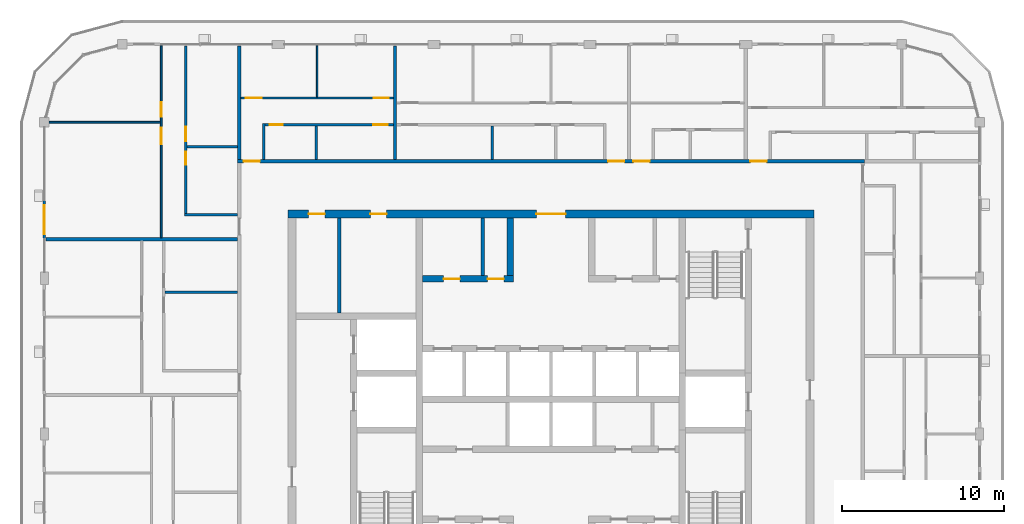
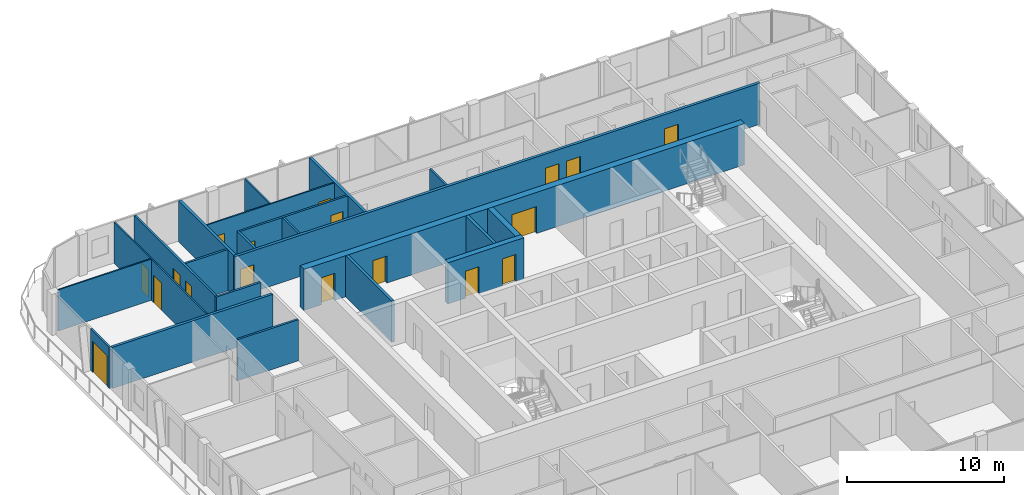
# One storey, part 13 of 21: 22 walls, 18 doors, 18 openings.
"""IFC4 building model written with IfcOpenShell, lengths in metres."""

from ifc_helpers import new_model, si_unit, direction, frame, frame_2d, origin, place, context, subcontext, project, spatial, rectangle, extrude, material, layer, layer_set, type_object, element, fill, save


model = new_model("IFC4")

# Units and contexts
model_context = context("Model", 3, precision=1e-05, world=origin(), true_north=direction((0.0, 1.0)))
body_context = subcontext(model_context, "Body", "Model", "MODEL_VIEW")
ifc_project = project(units=[si_unit("LENGTHUNIT", "METRE"), si_unit("AREAUNIT", "SQUARE_METRE"), si_unit("VOLUMEUNIT", "CUBIC_METRE"), si_unit("PLANEANGLEUNIT", "RADIAN"), si_unit("MASSUNIT", "GRAM", prefix="KILO")], contexts=[model_context])

# Site, building, storey
site_placement = place(None, origin())
site = spatial("IfcSite", under=ifc_project, at=site_placement, CompositionType="ELEMENT")
building_placement = place(site_placement, origin())
building = spatial("IfcBuilding", under=site, at=building_placement, Name="Madar Terraces", CompositionType="ELEMENT")
storey_placement = place(building_placement, frame((0.0, 0.0, 272.10009765625)))
storey = spatial("IfcBuildingStorey", under=building, at=storey_placement, Name="L71", CompositionType="ELEMENT", Elevation=272.10009765625)

# Wall, openings, doors
ifc_material_1 = material(Name="Concrete C50/60", Category="concrete")
ifc_layer_1 = layer(ifc_material_1, 0.39990234375)
ifc_layer_set_1 = layer_set([ifc_layer_1], Name="Concrete C50/60 (CIW6 RC wall 400)")
wall_type_1 = type_object("IfcWallType", Name="CIW6 RC wall 400", PredefinedType="SHEAR", material=ifc_layer_set_1)
wall_1_placement = place(storey_placement, frame((23.300048828125, 33.550048828125, 0.0), z_axis=(0.0, 0.0, 1.0), x_axis=(1.0, 0.0, 0.0)))
wall_1 = element("IfcWall", 1, at=wall_1_placement, inside=storey, type_object=wall_type_1, Name="CORE SHAFT WALL", PredefinedType="SHEAR", context=body_context, shape_type="SweptSolid", body=[
    extrude(rectangle(XDim=5.599853515625, YDim=0.39990234375, at=frame_2d((2.7998046875, 0.0))), origin(), (0.0, 0.0, 1.0), 3.199951171875),
])
opening_1_placement = place(wall_1_placement, frame((1.2958984375, 0.0, 0.0)))
opening_1 = element("IfcOpeningElement", 2, at=opening_1_placement, cuts=wall_1, Name="Opening KD2", PredefinedType="OPENING", context=body_context, shape_type="SweptSolid", body=[
    extrude(rectangle(XDim=1.0, YDim=2.10009765625, at=frame_2d((0.5, 1.050048828125))), frame((0.0, 0.2099609375, 0.0), z_axis=(0.0, -1.0, 0.0), x_axis=(1.0, 0.0, 0.0)), (0.0, 0.0, 1.0), 0.419921875),
])
opening_2_placement = place(wall_1_placement, frame((3.99609375, 0.0, 0.0)))
opening_2 = element("IfcOpeningElement", 3, at=opening_2_placement, cuts=wall_1, Name="Opening KD2", PredefinedType="OPENING", context=body_context, shape_type="SweptSolid", body=[
    extrude(rectangle(XDim=1.0, YDim=2.10009765625, at=frame_2d((0.5, 1.050048828125))), frame((0.0, 0.2099609375, 0.0), z_axis=(0.0, -1.0, 0.0), x_axis=(1.0, 0.0, 0.0)), (0.0, 0.0, 1.0), 0.419921875),
])
ifc_material_2 = material(Name="Steel door leaf", Category="steel")
door_type_1 = type_object("IfcDoorType", Name="Service room door 1000 x 2100", OperationType="NOTDEFINED", PredefinedType="DOOR", material=ifc_material_2)
door_1_placement = place(opening_1_placement, frame((1.0, 0.0, 0.0), z_axis=(0.0, 0.0, 1.0), x_axis=(-1.0, 0.0, 0.0)))
door_1 = element("IfcDoor", 4, at=door_1_placement, inside=storey, type_object=door_type_1, Name="SERVICE ROOM DOOR", OperationType="SINGLE_SWING_LEFT", OverallHeight=2.10009765625, OverallWidth=1.0, PredefinedType="DOOR", context=body_context, shape_type="SweptSolid", body=[
    extrude(rectangle(XDim=1.0, YDim=2.10009765625, at=frame_2d((0.5, 1.050048828125))), frame((0.0, 0.02490234375, 0.0), z_axis=(0.0, -1.0, 0.0), x_axis=(1.0, 0.0, 0.0)), (0.0, 0.0, 1.0), 0.050048828125),
])
fill(opening_1, door_1)
door_2_placement = place(opening_2_placement, frame((1.0, 0.0, 0.0), z_axis=(0.0, 0.0, 1.0), x_axis=(-1.0, 0.0, 0.0)))
door_2 = element("IfcDoor", 5, at=door_2_placement, inside=storey, type_object=door_type_1, Name="SERVICE ROOM DOOR", OperationType="SINGLE_SWING_RIGHT", OverallHeight=2.10009765625, OverallWidth=1.0, PredefinedType="DOOR", context=body_context, shape_type="SweptSolid", body=[
    extrude(rectangle(XDim=1.0, YDim=2.10009765625, at=frame_2d((0.5, 1.050048828125))), frame((0.0, 0.02490234375, 0.0), z_axis=(0.0, -1.0, 0.0), x_axis=(1.0, 0.0, 0.0)), (0.0, 0.0, 1.0), 0.050048828125),
])
fill(opening_2, door_2)

# Wall
wall_2_placement = place(storey_placement, frame((28.699951171875, 33.75, 0.0), z_axis=(0.0, 0.0, 1.0), x_axis=(0.0, 1.0, 0.0)))
element("IfcWall", 6, at=wall_2_placement, inside=storey, type_object=wall_type_1, Name="CORE SHAFT WALL", PredefinedType="SHEAR", context=body_context, shape_type="SweptSolid", body=[
    extrude(rectangle(XDim=3.550048828125, YDim=0.39990234375, at=frame_2d((1.77490234375, 0.0))), origin(), (0.0, 0.0, 1.0), 3.199951171875),
])

# Wall, openings, doors
ifc_material_3 = material(Name="Concrete C50/60", Category="concrete")
ifc_layer_2 = layer(ifc_material_3, 0.5)
ifc_layer_set_2 = layer_set([ifc_layer_2], Name="Concrete C50/60 (CRW6 RC wall 500)")
wall_type_2 = type_object("IfcWallType", Name="CRW6 RC wall 500", PredefinedType="SHEAR", material=ifc_layer_set_2)
wall_3_placement = place(storey_placement, frame((15.0, 37.550048828125, 0.0), z_axis=(0.0, 0.0, 1.0), x_axis=(1.0, 0.0, 0.0)))
wall_3 = element("IfcWall", 7, at=wall_3_placement, inside=storey, type_object=wall_type_2, Name="CORE OUTER WALL", PredefinedType="SHEAR", context=body_context, shape_type="SweptSolid", body=[
    extrude(rectangle(XDim=32.39990234375, YDim=0.5, at=frame_2d((16.199951171875, 0.0))), origin(), (0.0, 0.0, 1.0), 3.199951171875),
])
opening_3_placement = place(wall_3_placement, frame((15.300048828125, 0.0, 0.0)))
opening_3 = element("IfcOpeningElement", 8, at=opening_3_placement, cuts=wall_3, Name="Opening KD1", PredefinedType="OPENING", context=body_context, shape_type="SweptSolid", body=[
    extrude(rectangle(XDim=1.800048828125, YDim=2.10009765625, at=frame_2d((0.89990234375, 1.050048828125))), frame((0.0, 0.260009765625, 0.0), z_axis=(0.0, -1.0, 0.0), x_axis=(1.0, 0.0, 0.0)), (0.0, 0.0, 1.0), 0.52001953125),
])
opening_4_placement = place(wall_3_placement, frame((1.281982421875, 0.0, 0.0)))
opening_4 = element("IfcOpeningElement", 9, at=opening_4_placement, cuts=wall_3, Name="Opening KD2", PredefinedType="OPENING", context=body_context, shape_type="SweptSolid", body=[
    extrude(rectangle(XDim=1.0, YDim=2.10009765625, at=frame_2d((0.5, 1.050048828125))), frame((0.0, 0.260009765625, 0.0), z_axis=(0.0, -1.0, 0.0), x_axis=(1.0, 0.0, 0.0)), (0.0, 0.0, 1.0), 0.52001953125),
])
opening_5_placement = place(wall_3_placement, frame((5.08203125, 0.0, 0.0)))
opening_5 = element("IfcOpeningElement", 10, at=opening_5_placement, cuts=wall_3, Name="Opening KD2", PredefinedType="OPENING", context=body_context, shape_type="SweptSolid", body=[
    extrude(rectangle(XDim=1.0, YDim=2.10009765625, at=frame_2d((0.5, 1.050048828125))), frame((0.0, 0.260009765625, 0.0), z_axis=(0.0, -1.0, 0.0), x_axis=(1.0, 0.0, 0.0)), (0.0, 0.0, 1.0), 0.52001953125),
])
ifc_material_4 = material(Name="Steel door leaf", Category="steel")
door_type_2 = type_object("IfcDoorType", Name="Lobby door pair 1800 x 2100", OperationType="DOUBLE_DOOR_SINGLE_SWING", PredefinedType="DOOR", material=ifc_material_4)
door_3_placement = place(opening_3_placement, origin())
door_3 = element("IfcDoor", 11, at=door_3_placement, inside=storey, type_object=door_type_2, Name="LIFT LOBBY DOOR", OperationType="DOUBLE_DOOR_SINGLE_SWING", OverallHeight=2.10009765625, OverallWidth=1.800048828125, PredefinedType="DOOR", context=body_context, shape_type="SweptSolid", body=[
    extrude(rectangle(XDim=1.800048828125, YDim=2.10009765625, at=frame_2d((0.89990234375, 1.050048828125))), frame((0.0, 0.02490234375, 0.0), z_axis=(0.0, -1.0, 0.0), x_axis=(1.0, 0.0, 0.0)), (0.0, 0.0, 1.0), 0.050048828125),
])
fill(opening_3, door_3)
door_4_placement = place(opening_4_placement, origin())
door_4 = element("IfcDoor", 12, at=door_4_placement, inside=storey, type_object=door_type_1, Name="SERVICE ROOM DOOR", OperationType="SINGLE_SWING_RIGHT", OverallHeight=2.10009765625, OverallWidth=1.0, PredefinedType="DOOR", context=body_context, shape_type="SweptSolid", body=[
    extrude(rectangle(XDim=1.0, YDim=2.10009765625, at=frame_2d((0.5, 1.050048828125))), frame((0.0, 0.02490234375, 0.0), z_axis=(0.0, -1.0, 0.0), x_axis=(1.0, 0.0, 0.0)), (0.0, 0.0, 1.0), 0.050048828125),
])
fill(opening_4, door_4)
door_5_placement = place(opening_5_placement, origin())
door_5 = element("IfcDoor", 13, at=door_5_placement, inside=storey, type_object=door_type_1, Name="SERVICE ROOM DOOR", OperationType="SINGLE_SWING_LEFT", OverallHeight=2.10009765625, OverallWidth=1.0, PredefinedType="DOOR", context=body_context, shape_type="SweptSolid", body=[
    extrude(rectangle(XDim=1.0, YDim=2.10009765625, at=frame_2d((0.5, 1.050048828125))), frame((0.0, 0.02490234375, 0.0), z_axis=(0.0, -1.0, 0.0), x_axis=(1.0, 0.0, 0.0)), (0.0, 0.0, 1.0), 0.050048828125),
])
fill(opening_5, door_5)

# Walls
ifc_material_5 = material(Name="Masonry blockwork", Category="masonry")
ifc_layer_3 = layer(ifc_material_5, 0.199951171875)
ifc_layer_set_3 = layer_set([ifc_layer_3], Name="Core partition 200 blockwork")
wall_type_3 = type_object("IfcWallType", Name="Core partition 200 blockwork", PredefinedType="PARTITIONING", material=ifc_layer_set_3)
wall_4_placement = place(storey_placement, frame((18.1640625, 31.449951171875, 0.0), z_axis=(0.0, 0.0, 1.0), x_axis=(0.0, 1.0, 0.0)))
element("IfcWall", 14, at=wall_4_placement, inside=storey, type_object=wall_type_3, Name="SERVICE ROOM PARTITION", PredefinedType="PARTITIONING", context=body_context, shape_type="SweptSolid", body=[
    extrude(rectangle(XDim=5.85009765625, YDim=0.199951171875, at=frame_2d((2.925048828125, 0.0))), origin(), (0.0, 0.0, 1.0), 3.199951171875),
])
wall_5_placement = place(storey_placement, frame((26.991943359375, 33.75, 0.0), z_axis=(0.0, 0.0, 1.0), x_axis=(0.0, 1.0, 0.0)))
element("IfcWall", 15, at=wall_5_placement, inside=storey, type_object=wall_type_3, Name="SERVICE ROOM PARTITION", PredefinedType="PARTITIONING", context=body_context, shape_type="SweptSolid", body=[
    extrude(rectangle(XDim=3.550048828125, YDim=0.199951171875, at=frame_2d((1.77490234375, 0.0))), origin(), (0.0, 0.0, 1.0), 3.199951171875),
])

# Wall, opening, door
ifc_material_6 = material(Name="Aluminium composite panel, black, over insulated backing", Category="aluminium")
ifc_layer_4 = layer(ifc_material_6, 0.14990234375)
ifc_layer_set_4 = layer_set([ifc_layer_4], Name="Facade bay panel 150")
wall_type_4 = type_object("IfcWallType", Name="Facade bay panel 150", PredefinedType="SOLIDWALL", material=ifc_layer_set_4)
wall_6_placement = place(storey_placement, frame((0.0, 38.39990234375, 0.0), z_axis=(0.0, 0.0, 1.0), x_axis=(0.0, -1.0, 0.0)))
wall_6 = element("IfcWall", 16, at=wall_6_placement, inside=storey, type_object=wall_type_4, Name="Facade bay panel", PredefinedType="SOLIDWALL", context=body_context, shape_type="SweptSolid", body=[
    extrude(rectangle(XDim=2.39990234375, YDim=0.14990234375, at=frame_2d((1.199951171875, 0.0))), origin(), (0.0, 0.0, 1.0), 3.199951171875),
])
opening_6_placement = place(wall_6_placement, frame((0.300048828125, 0.0, 0.0)))
opening_6 = element("IfcOpeningElement", 17, at=opening_6_placement, cuts=wall_6, Name="Opening ED1", PredefinedType="OPENING", context=body_context, shape_type="SweptSolid", body=[
    extrude(rectangle(XDim=1.800048828125, YDim=2.39990234375, at=frame_2d((0.89990234375, 1.199951171875))), frame((0.0, 0.0849609375, 0.0), z_axis=(0.0, -1.0, 0.0), x_axis=(1.0, 0.0, 0.0)), (0.0, 0.0, 1.0), 0.169921875),
])
ifc_material_7 = material(Name="Glass, clear, with black aluminium frame", Category="aluminium")
door_type_3 = type_object("IfcDoorType", Name="Balcony and terrace sliding door 1800 x 2400", OperationType="SLIDING_TO_LEFT", PredefinedType="DOOR", material=ifc_material_7)
door_6_placement = place(opening_6_placement, origin())
door_6 = element("IfcDoor", 18, at=door_6_placement, inside=storey, type_object=door_type_3, Name="Balcony door", OperationType="SLIDING_TO_LEFT", OverallHeight=2.39990234375, OverallWidth=1.800048828125, PredefinedType="DOOR", context=body_context, shape_type="SweptSolid", body=[
    extrude(rectangle(XDim=1.800048828125, YDim=2.39990234375, at=frame_2d((0.89990234375, 1.199951171875))), frame((0.0, 0.02490234375, 0.0), z_axis=(0.0, -1.0, 0.0), x_axis=(1.0, 0.0, 0.0)), (0.0, 0.0, 1.0), 0.050048828125),
])
fill(opening_6, door_6)

# Wall
ifc_material_8 = material(Name="Gypsum board on steel studs", Category="steel")
ifc_layer_5 = layer(ifc_material_8, 0.10009765625)
ifc_layer_set_5 = layer_set([ifc_layer_5], Name="Flat partition 100")
wall_type_5 = type_object("IfcWallType", Name="Flat partition 100", PredefinedType="PARTITIONING", material=ifc_layer_set_5)
wall_7_placement = place(storey_placement, frame((16.800048828125, 44.75, 0.0), z_axis=(0.0, 0.0, 1.0), x_axis=(0.0, 1.0, 0.0)))
element("IfcWall", 19, at=wall_7_placement, inside=storey, type_object=wall_type_5, Name="Flat partition 100", PredefinedType="PARTITIONING", context=body_context, shape_type="SweptSolid", body=[
    extrude(rectangle(XDim=3.14990234375, YDim=0.10009765625, at=frame_2d((1.574951171875, 0.0))), origin(), (0.0, 0.0, 1.0), 3.199951171875),
])

# Wall, openings, doors
wall_8_placement = place(storey_placement, frame((12.10009765625, 44.699951171875, 0.0), z_axis=(0.0, 0.0, 1.0), x_axis=(1.0, 0.0, 0.0)))
wall_8 = element("IfcWall", 20, at=wall_8_placement, inside=storey, type_object=wall_type_5, Name="Flat partition 100", PredefinedType="PARTITIONING", context=body_context, shape_type="SweptSolid", body=[
    extrude(rectangle(XDim=9.39990234375, YDim=0.10009765625, at=frame_2d((4.699951171875, 0.0))), origin(), (0.0, 0.0, 1.0), 3.199951171875),
])
opening_7_placement = place(wall_8_placement, frame((0.300048828125, 0.0, 0.0)))
opening_7 = element("IfcOpeningElement", 21, at=opening_7_placement, cuts=wall_8, Name="Opening D3", PredefinedType="OPENING", context=body_context, shape_type="SweptSolid", body=[
    extrude(rectangle(XDim=1.0, YDim=2.10009765625, at=frame_2d((0.5, 1.050048828125))), frame((0.0, 0.06005859375, 0.0), z_axis=(0.0, -1.0, 0.0), x_axis=(1.0, 0.0, 0.0)), (0.0, 0.0, 1.0), 0.1201171875),
])
opening_8_placement = place(wall_8_placement, frame((8.199951171875, 0.0, 0.0)))
opening_8 = element("IfcOpeningElement", 22, at=opening_8_placement, cuts=wall_8, Name="Opening D2", PredefinedType="OPENING", context=body_context, shape_type="SweptSolid", body=[
    extrude(rectangle(XDim=0.89990234375, YDim=2.10009765625, at=frame_2d((0.449951171875, 1.050048828125))), frame((0.0, 0.06005859375, 0.0), z_axis=(0.0, -1.0, 0.0), x_axis=(1.0, 0.0, 0.0)), (0.0, 0.0, 1.0), 0.1201171875),
])
ifc_material_9 = material(Name="Timber door leaf", Category="wood")
door_type_4 = type_object("IfcDoorType", Name="Flat living room door 1000", OperationType="NOTDEFINED", PredefinedType="DOOR", material=ifc_material_9)
door_7_placement = place(opening_7_placement, origin())
door_7 = element("IfcDoor", 23, at=door_7_placement, inside=storey, type_object=door_type_4, Name="Flat living room door 1000", OperationType="SINGLE_SWING_LEFT", OverallHeight=2.10009765625, OverallWidth=1.0, PredefinedType="DOOR", context=body_context, shape_type="SweptSolid", body=[
    extrude(rectangle(XDim=1.0, YDim=2.10009765625, at=frame_2d((0.5, 1.050048828125))), frame((0.0, 0.02490234375, 0.0), z_axis=(0.0, -1.0, 0.0), x_axis=(1.0, 0.0, 0.0)), (0.0, 0.0, 1.0), 0.050048828125),
])
fill(opening_7, door_7)
ifc_material_10 = material(Name="Timber door leaf", Category="wood")
door_type_5 = type_object("IfcDoorType", Name="Flat room door 900", OperationType="NOTDEFINED", PredefinedType="DOOR", material=ifc_material_10)
door_8_placement = place(opening_8_placement, origin())
door_8 = element("IfcDoor", 24, at=door_8_placement, inside=storey, type_object=door_type_5, Name="Flat room door 900", OperationType="SINGLE_SWING_RIGHT", OverallHeight=2.10009765625, OverallWidth=0.89990234375, PredefinedType="DOOR", context=body_context, shape_type="SweptSolid", body=[
    extrude(rectangle(XDim=0.89990234375, YDim=2.10009765625, at=frame_2d((0.449951171875, 1.050048828125))), frame((0.0, 0.02490234375, 0.0), z_axis=(0.0, -1.0, 0.0), x_axis=(1.0, 0.0, 0.0)), (0.0, 0.0, 1.0), 0.050048828125),
])
fill(opening_8, door_8)

# Wall
wall_9_placement = place(storey_placement, frame((7.14990234375, 43.199951171875, 0.0), z_axis=(0.0, 0.0, 1.0), x_axis=(-1.0, 0.0, 0.0)))
element("IfcWall", 25, at=wall_9_placement, inside=storey, type_object=wall_type_5, Name="Flat partition 100", PredefinedType="PARTITIONING", context=body_context, shape_type="SweptSolid", body=[
    extrude(rectangle(XDim=6.849853515625, YDim=0.10009765625, at=frame_2d((3.4248046875, 0.0))), origin(), (0.0, 0.0, 1.0), 3.199951171875),
])

# Wall, openings, doors
wall_10_placement = place(storey_placement, frame((7.199951171875, 36.10009765625, 0.0), z_axis=(0.0, 0.0, 1.0), x_axis=(0.0, 1.0, 0.0)))
wall_10 = element("IfcWall", 26, at=wall_10_placement, inside=storey, type_object=wall_type_5, Name="Flat partition 100", PredefinedType="PARTITIONING", context=body_context, shape_type="SweptSolid", body=[
    extrude(rectangle(XDim=11.7998046875, YDim=0.10009765625, at=frame_2d((5.89990234375, 0.0))), origin(), (0.0, 0.0, 1.0), 3.199951171875),
])
opening_9_placement = place(wall_10_placement, frame((5.75, 0.0, 0.0)))
opening_9 = element("IfcOpeningElement", 27, at=opening_9_placement, cuts=wall_10, Name="Opening D3", PredefinedType="OPENING", context=body_context, shape_type="SweptSolid", body=[
    extrude(rectangle(XDim=1.0, YDim=2.10009765625, at=frame_2d((0.5, 1.050048828125))), frame((0.0, 0.06005859375, 0.0), z_axis=(0.0, -1.0, 0.0), x_axis=(1.0, 0.0, 0.0)), (0.0, 0.0, 1.0), 0.1201171875),
])
opening_10_placement = place(wall_10_placement, frame((7.449951171875, 0.0, 0.0)))
opening_10 = element("IfcOpeningElement", 28, at=opening_10_placement, cuts=wall_10, Name="Opening D2", PredefinedType="OPENING", context=body_context, shape_type="SweptSolid", body=[
    extrude(rectangle(XDim=0.89990234375, YDim=2.10009765625, at=frame_2d((0.449951171875, 1.050048828125))), frame((0.0, 0.06005859375, 0.0), z_axis=(0.0, -1.0, 0.0), x_axis=(1.0, 0.0, 0.0)), (0.0, 0.0, 1.0), 0.1201171875),
])
door_9_placement = place(opening_9_placement, origin())
door_9 = element("IfcDoor", 29, at=door_9_placement, inside=storey, type_object=door_type_4, Name="Flat living room door 1000", OperationType="SINGLE_SWING_RIGHT", OverallHeight=2.10009765625, OverallWidth=1.0, PredefinedType="DOOR", context=body_context, shape_type="SweptSolid", body=[
    extrude(rectangle(XDim=1.0, YDim=2.10009765625, at=frame_2d((0.5, 1.050048828125))), frame((0.0, 0.02490234375, 0.0), z_axis=(0.0, -1.0, 0.0), x_axis=(1.0, 0.0, 0.0)), (0.0, 0.0, 1.0), 0.050048828125),
])
fill(opening_9, door_9)
door_10_placement = place(opening_10_placement, origin())
door_10 = element("IfcDoor", 30, at=door_10_placement, inside=storey, type_object=door_type_5, Name="Flat room door 900", OperationType="SINGLE_SWING_LEFT", OverallHeight=2.10009765625, OverallWidth=0.89990234375, PredefinedType="DOOR", context=body_context, shape_type="SweptSolid", body=[
    extrude(rectangle(XDim=0.89990234375, YDim=2.10009765625, at=frame_2d((0.449951171875, 1.050048828125))), frame((0.0, 0.02490234375, 0.0), z_axis=(0.0, -1.0, 0.0), x_axis=(1.0, 0.0, 0.0)), (0.0, 0.0, 1.0), 0.050048828125),
])
fill(opening_10, door_10)

ifc_material_11 = material(Name="Lightweight blockwork", Category="masonry")
ifc_layer_6 = layer(ifc_material_11, 0.199951171875)
ifc_layer_set_6 = layer_set([ifc_layer_6], Name="Flat party and entrance wall 200")
wall_type_6 = type_object("IfcWallType", Name="Flat party and entrance wall 200", PredefinedType="PARTITIONING", material=ifc_layer_set_6)
wall_11_placement = place(storey_placement, frame((11.89990234375, 40.800048828125, 0.0), z_axis=(0.0, 0.0, 1.0), x_axis=(1.0, 0.0, 0.0)))
wall_11 = element("IfcWall", 31, at=wall_11_placement, inside=storey, type_object=wall_type_6, Name="Flat party and entrance wall 200", PredefinedType="PARTITIONING", context=body_context, shape_type="SweptSolid", body=[
    extrude(rectangle(XDim=38.60009765625, YDim=0.199951171875, at=frame_2d((19.300048828125, 0.0))), origin(), (0.0, 0.0, 1.0), 3.199951171875),
])
opening_11_placement = place(wall_11_placement, frame((31.574951171875, 0.0, 0.0)))
opening_11 = element("IfcOpeningElement", 32, at=opening_11_placement, cuts=wall_11, Name="Opening D1", PredefinedType="OPENING", context=body_context, shape_type="SweptSolid", body=[
    extrude(rectangle(XDim=1.0, YDim=2.10009765625, at=frame_2d((0.5, 1.050048828125))), frame((0.0, 0.10986328125, 0.0), z_axis=(0.0, -1.0, 0.0), x_axis=(1.0, 0.0, 0.0)), (0.0, 0.0, 1.0), 0.219970703125),
])
opening_12_placement = place(wall_11_placement, frame((24.375, 0.0, 0.0)))
opening_12 = element("IfcOpeningElement", 33, at=opening_12_placement, cuts=wall_11, Name="Opening D1", PredefinedType="OPENING", context=body_context, shape_type="SweptSolid", body=[
    extrude(rectangle(XDim=1.0, YDim=2.10009765625, at=frame_2d((0.5, 1.050048828125))), frame((0.0, 0.10986328125, 0.0), z_axis=(0.0, -1.0, 0.0), x_axis=(1.0, 0.0, 0.0)), (0.0, 0.0, 1.0), 0.219970703125),
])
opening_13_placement = place(wall_11_placement, frame((22.824951171875, 0.0, 0.0)))
opening_13 = element("IfcOpeningElement", 34, at=opening_13_placement, cuts=wall_11, Name="Opening D1", PredefinedType="OPENING", context=body_context, shape_type="SweptSolid", body=[
    extrude(rectangle(XDim=1.0, YDim=2.10009765625, at=frame_2d((0.5, 1.050048828125))), frame((0.0, 0.10986328125, 0.0), z_axis=(0.0, -1.0, 0.0), x_axis=(1.0, 0.0, 0.0)), (0.0, 0.0, 1.0), 0.219970703125),
])
opening_14_placement = place(wall_11_placement, frame((0.375, 0.0, 0.0)))
opening_14 = element("IfcOpeningElement", 35, at=opening_14_placement, cuts=wall_11, Name="Opening D1", PredefinedType="OPENING", context=body_context, shape_type="SweptSolid", body=[
    extrude(rectangle(XDim=1.0, YDim=2.10009765625, at=frame_2d((0.5, 1.050048828125))), frame((0.0, 0.10986328125, 0.0), z_axis=(0.0, -1.0, 0.0), x_axis=(1.0, 0.0, 0.0)), (0.0, 0.0, 1.0), 0.219970703125),
])
ifc_material_12 = material(Name="Timber fire door leaf", Category="wood")
door_type_6 = type_object("IfcDoorType", Name="Flat entrance door 1000 FD30S", OperationType="NOTDEFINED", PredefinedType="DOOR", material=ifc_material_12)
door_11_placement = place(opening_11_placement, origin())
door_11 = element("IfcDoor", 36, at=door_11_placement, inside=storey, type_object=door_type_6, Name="Flat entrance door 1000 FD30S", OperationType="SINGLE_SWING_LEFT", OverallHeight=2.10009765625, OverallWidth=1.0, PredefinedType="DOOR", context=body_context, shape_type="SweptSolid", body=[
    extrude(rectangle(XDim=1.0, YDim=2.10009765625, at=frame_2d((0.5, 1.050048828125))), frame((0.0, 0.02490234375, 0.0), z_axis=(0.0, -1.0, 0.0), x_axis=(1.0, 0.0, 0.0)), (0.0, 0.0, 1.0), 0.050048828125),
])
fill(opening_11, door_11)
door_12_placement = place(opening_12_placement, origin())
door_12 = element("IfcDoor", 37, at=door_12_placement, inside=storey, type_object=door_type_6, Name="Flat entrance door 1000 FD30S", OperationType="SINGLE_SWING_LEFT", OverallHeight=2.10009765625, OverallWidth=1.0, PredefinedType="DOOR", context=body_context, shape_type="SweptSolid", body=[
    extrude(rectangle(XDim=1.0, YDim=2.10009765625, at=frame_2d((0.5, 1.050048828125))), frame((0.0, 0.02490234375, 0.0), z_axis=(0.0, -1.0, 0.0), x_axis=(1.0, 0.0, 0.0)), (0.0, 0.0, 1.0), 0.050048828125),
])
fill(opening_12, door_12)
door_13_placement = place(opening_13_placement, origin())
door_13 = element("IfcDoor", 38, at=door_13_placement, inside=storey, type_object=door_type_6, Name="Flat entrance door 1000 FD30S", OperationType="SINGLE_SWING_RIGHT", OverallHeight=2.10009765625, OverallWidth=1.0, PredefinedType="DOOR", context=body_context, shape_type="SweptSolid", body=[
    extrude(rectangle(XDim=1.0, YDim=2.10009765625, at=frame_2d((0.5, 1.050048828125))), frame((0.0, 0.02490234375, 0.0), z_axis=(0.0, -1.0, 0.0), x_axis=(1.0, 0.0, 0.0)), (0.0, 0.0, 1.0), 0.050048828125),
])
fill(opening_13, door_13)
door_14_placement = place(opening_14_placement, origin())
door_14 = element("IfcDoor", 39, at=door_14_placement, inside=storey, type_object=door_type_6, Name="Flat entrance door 1000 FD30S", OperationType="SINGLE_SWING_LEFT", OverallHeight=2.10009765625, OverallWidth=1.0, PredefinedType="DOOR", context=body_context, shape_type="SweptSolid", body=[
    extrude(rectangle(XDim=1.0, YDim=2.10009765625, at=frame_2d((0.5, 1.050048828125))), frame((0.0, 0.02490234375, 0.0), z_axis=(0.0, -1.0, 0.0), x_axis=(1.0, 0.0, 0.0)), (0.0, 0.0, 1.0), 0.050048828125),
])
fill(opening_14, door_14)

# Walls
for number, where, z_axis, x_axis, name in (
    (40, (21.60009765625, 47.89990234375, 0.0), (0.0, 0.0, 1.0), (0.0, -1.0, 0.0), "Flat party and entrance wall 200"),
    (41, (12.0, 47.89990234375, 0.0), (0.0, 0.0, 1.0), (0.0, -1.0, 0.0), "Flat party and entrance wall 200"),
):
    element("IfcWall", number, at=place(storey_placement, frame(where, z_axis=z_axis, x_axis=x_axis)), inside=storey, type_object=wall_type_6, Name=name, PredefinedType="PARTITIONING", context=body_context, shape_type="SweptSolid", body=[
        extrude(rectangle(XDim=7.0, YDim=0.199951171875, at=frame_2d((3.5, 0.0))), origin(), (0.0, 0.0, 1.0), 3.199951171875),
    ])
wall_12_placement = place(storey_placement, frame((0.10009765625, 36.0, 0.0), z_axis=(0.0, 0.0, 1.0), x_axis=(1.0, 0.0, 0.0)))
element("IfcWall", 42, at=wall_12_placement, inside=storey, type_object=wall_type_6, Name="Flat party and entrance wall 200", PredefinedType="PARTITIONING", context=body_context, shape_type="SweptSolid", body=[
    extrude(rectangle(XDim=11.7998046875, YDim=0.199951171875, at=frame_2d((5.89990234375, 0.0))), origin(), (0.0, 0.0, 1.0), 3.199951171875),
])
ifc_material_13 = material(Name="Lightweight blockwork", Category="masonry")
ifc_layer_7 = layer(ifc_material_13, 0.14990234375)
ifc_layer_set_7 = layer_set([ifc_layer_7], Name="Flat wet-room partition 150")
wall_type_7 = type_object("IfcWallType", Name="Flat wet-room partition 150", PredefinedType="PARTITIONING", material=ifc_layer_set_7)
for number, where, z_axis, x_axis, name in (
    (43, (27.572998046875, 40.89990234375, 0.0), (0.0, 0.0, 1.0), (0.0, 1.0, 0.0), "Flat wet-room partition 150"),
    (44, (16.7451171875, 40.89990234375, 0.0), (0.0, 0.0, 1.0), (0.0, 1.0, 0.0), "Flat wet-room partition 150"),
):
    element("IfcWall", number, at=place(storey_placement, frame(where, z_axis=z_axis, x_axis=x_axis)), inside=storey, type_object=wall_type_7, Name=name, PredefinedType="PARTITIONING", context=body_context, shape_type="SweptSolid", body=[
        extrude(rectangle(XDim=2.0751953125, YDim=0.14990234375, at=frame_2d((1.03759765625, 0.0))), origin(), (0.0, 0.0, 1.0), 3.199951171875),
    ])
wall_13_placement = place(storey_placement, frame((13.5, 40.89990234375, 0.0), z_axis=(0.0, 0.0, 1.0), x_axis=(0.0, 1.0, 0.0)))
element("IfcWall", 45, at=wall_13_placement, inside=storey, type_object=wall_type_7, Name="Flat wet-room partition 150", PredefinedType="PARTITIONING", context=body_context, shape_type="SweptSolid", body=[
    extrude(rectangle(XDim=2.22509765625, YDim=0.14990234375, at=frame_2d((1.112548828125, 0.0))), origin(), (0.0, 0.0, 1.0), 3.199951171875),
])

# Wall, openings, doors
wall_14_placement = place(storey_placement, frame((21.5, 43.050048828125, 0.0), z_axis=(0.0, 0.0, 1.0), x_axis=(-1.0, 0.0, 0.0)))
wall_14 = element("IfcWall", 46, at=wall_14_placement, inside=storey, type_object=wall_type_7, Name="Flat wet-room partition 150", PredefinedType="PARTITIONING", context=body_context, shape_type="SweptSolid", body=[
    extrude(rectangle(XDim=7.925048828125, YDim=0.14990234375, at=frame_2d((3.96240234375, 0.0))), origin(), (0.0, 0.0, 1.0), 3.199951171875),
])
opening_15_placement = place(wall_14_placement, frame((6.824951171875, 0.0, 0.0)))
opening_15 = element("IfcOpeningElement", 47, at=opening_15_placement, cuts=wall_14, Name="Opening D4", PredefinedType="OPENING", context=body_context, shape_type="SweptSolid", body=[
    extrude(rectangle(XDim=0.800048828125, YDim=2.10009765625, at=frame_2d((0.39990234375, 1.050048828125))), frame((0.0, 0.0849609375, 0.0), z_axis=(0.0, -1.0, 0.0), x_axis=(1.0, 0.0, 0.0)), (0.0, 0.0, 1.0), 0.169921875),
])
opening_16_placement = place(wall_14_placement, frame((0.35009765625, 0.0, 0.0)))
opening_16 = element("IfcOpeningElement", 48, at=opening_16_placement, cuts=wall_14, Name="Opening D2", PredefinedType="OPENING", context=body_context, shape_type="SweptSolid", body=[
    extrude(rectangle(XDim=0.89990234375, YDim=2.10009765625, at=frame_2d((0.449951171875, 1.050048828125))), frame((0.0, 0.0849609375, 0.0), z_axis=(0.0, -1.0, 0.0), x_axis=(1.0, 0.0, 0.0)), (0.0, 0.0, 1.0), 0.169921875),
])
ifc_material_14 = material(Name="Timber door leaf", Category="wood")
door_type_7 = type_object("IfcDoorType", Name="Flat bathroom door 800", OperationType="NOTDEFINED", PredefinedType="DOOR", material=ifc_material_14)
door_15_placement = place(opening_15_placement, origin())
door_15 = element("IfcDoor", 49, at=door_15_placement, inside=storey, type_object=door_type_7, Name="Flat bathroom door 800", OperationType="SINGLE_SWING_RIGHT", OverallHeight=2.10009765625, OverallWidth=0.800048828125, PredefinedType="DOOR", context=body_context, shape_type="SweptSolid", body=[
    extrude(rectangle(XDim=0.800048828125, YDim=2.10009765625, at=frame_2d((0.39990234375, 1.050048828125))), frame((0.0, 0.02490234375, 0.0), z_axis=(0.0, -1.0, 0.0), x_axis=(1.0, 0.0, 0.0)), (0.0, 0.0, 1.0), 0.050048828125),
])
fill(opening_15, door_15)
door_16_placement = place(opening_16_placement, origin())
door_16 = element("IfcDoor", 50, at=door_16_placement, inside=storey, type_object=door_type_5, Name="Flat room door 900", OperationType="SINGLE_SWING_LEFT", OverallHeight=2.10009765625, OverallWidth=0.89990234375, PredefinedType="DOOR", context=body_context, shape_type="SweptSolid", body=[
    extrude(rectangle(XDim=0.89990234375, YDim=2.10009765625, at=frame_2d((0.449951171875, 1.050048828125))), frame((0.0, 0.02490234375, 0.0), z_axis=(0.0, -1.0, 0.0), x_axis=(1.0, 0.0, 0.0)), (0.0, 0.0, 1.0), 0.050048828125),
])
fill(opening_16, door_16)

# Walls
wall_15_placement = place(storey_placement, frame((11.89990234375, 41.705078125, 0.0), z_axis=(0.0, 0.0, 1.0), x_axis=(-1.0, 0.0, 0.0)))
element("IfcWall", 51, at=wall_15_placement, inside=storey, type_object=wall_type_7, Name="Flat wet-room partition 150", PredefinedType="PARTITIONING", context=body_context, shape_type="SweptSolid", body=[
    extrude(rectangle(XDim=3.125, YDim=0.14990234375, at=frame_2d((1.5625, 0.0))), origin(), (0.0, 0.0, 1.0), 3.199951171875),
])
wall_16_placement = place(storey_placement, frame((11.89990234375, 37.5, 0.0), z_axis=(0.0, 0.0, 1.0), x_axis=(-1.0, 0.0, 0.0)))
element("IfcWall", 52, at=wall_16_placement, inside=storey, type_object=wall_type_7, Name="Flat wet-room partition 150", PredefinedType="PARTITIONING", context=body_context, shape_type="SweptSolid", body=[
    extrude(rectangle(XDim=3.27490234375, YDim=0.14990234375, at=frame_2d((1.637451171875, 0.0))), origin(), (0.0, 0.0, 1.0), 3.199951171875),
])

# Wall, openings, doors
wall_17_placement = place(storey_placement, frame((8.699951171875, 47.89990234375, 0.0), z_axis=(0.0, 0.0, 1.0), x_axis=(0.0, -1.0, 0.0)))
wall_17 = element("IfcWall", 53, at=wall_17_placement, inside=storey, type_object=wall_type_7, Name="Flat wet-room partition 150", PredefinedType="PARTITIONING", context=body_context, shape_type="SweptSolid", body=[
    extrude(rectangle(XDim=10.324951171875, YDim=0.14990234375, at=frame_2d((5.16259765625, 0.0))), origin(), (0.0, 0.0, 1.0), 3.199951171875),
])
opening_17_placement = place(wall_17_placement, frame((6.52001953125, 0.0, 0.0)))
opening_17 = element("IfcOpeningElement", 54, at=opening_17_placement, cuts=wall_17, Name="Opening D4", PredefinedType="OPENING", context=body_context, shape_type="SweptSolid", body=[
    extrude(rectangle(XDim=0.800048828125, YDim=2.10009765625, at=frame_2d((0.39990234375, 1.050048828125))), frame((0.0, 0.0849609375, 0.0), z_axis=(0.0, -1.0, 0.0), x_axis=(1.0, 0.0, 0.0)), (0.0, 0.0, 1.0), 0.169921875),
])
opening_18_placement = place(wall_17_placement, frame((4.969970703125, 0.0, 0.0)))
opening_18 = element("IfcOpeningElement", 55, at=opening_18_placement, cuts=wall_17, Name="Opening D2", PredefinedType="OPENING", context=body_context, shape_type="SweptSolid", body=[
    extrude(rectangle(XDim=0.89990234375, YDim=2.10009765625, at=frame_2d((0.449951171875, 1.050048828125))), frame((0.0, 0.0849609375, 0.0), z_axis=(0.0, -1.0, 0.0), x_axis=(1.0, 0.0, 0.0)), (0.0, 0.0, 1.0), 0.169921875),
])
door_17_placement = place(opening_17_placement, origin())
door_17 = element("IfcDoor", 56, at=door_17_placement, inside=storey, type_object=door_type_7, Name="Flat bathroom door 800", OperationType="SINGLE_SWING_LEFT", OverallHeight=2.10009765625, OverallWidth=0.800048828125, PredefinedType="DOOR", context=body_context, shape_type="SweptSolid", body=[
    extrude(rectangle(XDim=0.800048828125, YDim=2.10009765625, at=frame_2d((0.39990234375, 1.050048828125))), frame((0.0, 0.02490234375, 0.0), z_axis=(0.0, -1.0, 0.0), x_axis=(1.0, 0.0, 0.0)), (0.0, 0.0, 1.0), 0.050048828125),
])
fill(opening_17, door_17)
door_18_placement = place(opening_18_placement, origin())
door_18 = element("IfcDoor", 57, at=door_18_placement, inside=storey, type_object=door_type_5, Name="Flat room door 900", OperationType="SINGLE_SWING_RIGHT", OverallHeight=2.10009765625, OverallWidth=0.89990234375, PredefinedType="DOOR", context=body_context, shape_type="SweptSolid", body=[
    extrude(rectangle(XDim=0.89990234375, YDim=2.10009765625, at=frame_2d((0.449951171875, 1.050048828125))), frame((0.0, 0.02490234375, 0.0), z_axis=(0.0, -1.0, 0.0), x_axis=(1.0, 0.0, 0.0)), (0.0, 0.0, 1.0), 0.050048828125),
])
fill(opening_18, door_18)

# Wall
wall_18_placement = place(storey_placement, frame((11.89990234375, 32.72998046875, 0.0), z_axis=(0.0, 0.0, 1.0), x_axis=(-1.0, 0.0, 0.0)))
element("IfcWall", 58, at=wall_18_placement, inside=storey, type_object=wall_type_7, Name="Flat wet-room partition 150", PredefinedType="PARTITIONING", context=body_context, shape_type="SweptSolid", body=[
    extrude(rectangle(XDim=4.474853515625, YDim=0.14990234375, at=frame_2d((2.2373046875, 0.0))), origin(), (0.0, 0.0, 1.0), 3.199951171875),
])

save(model, "model.ifc")
